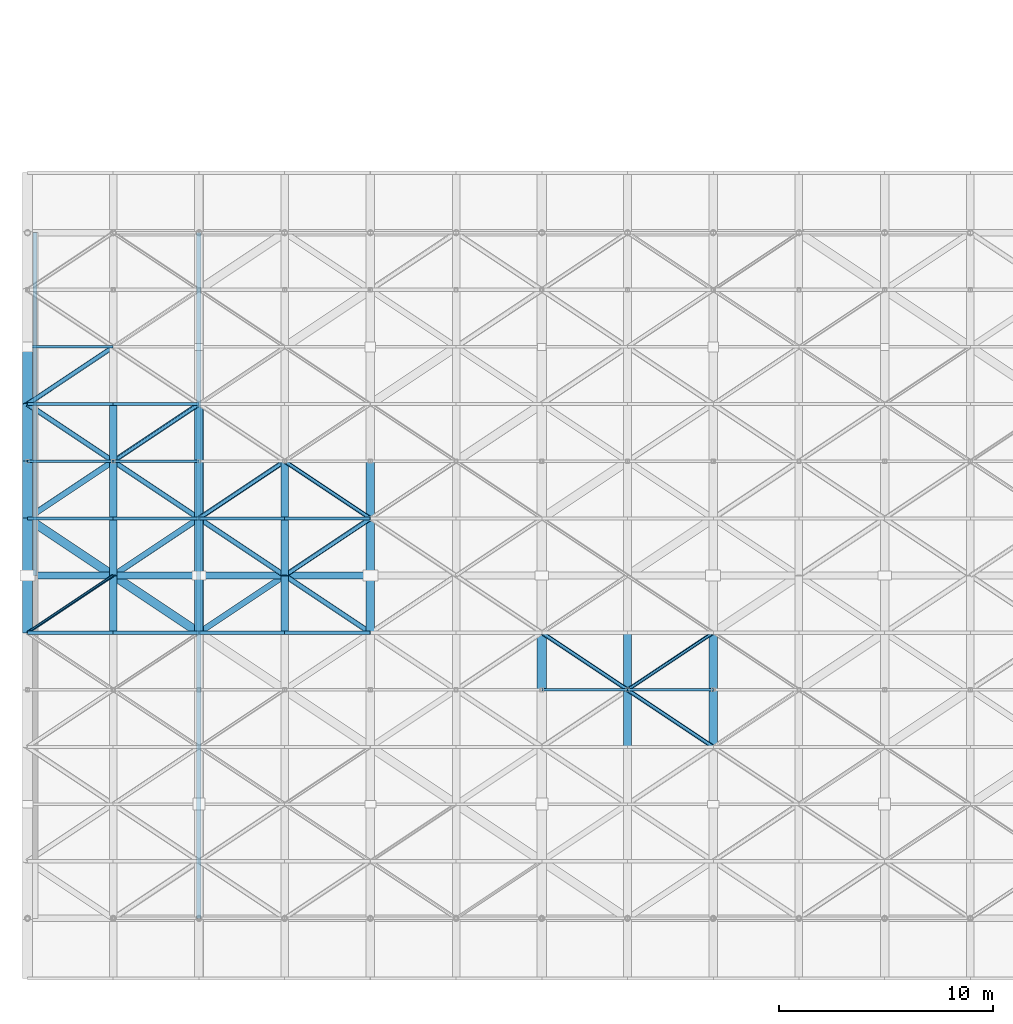
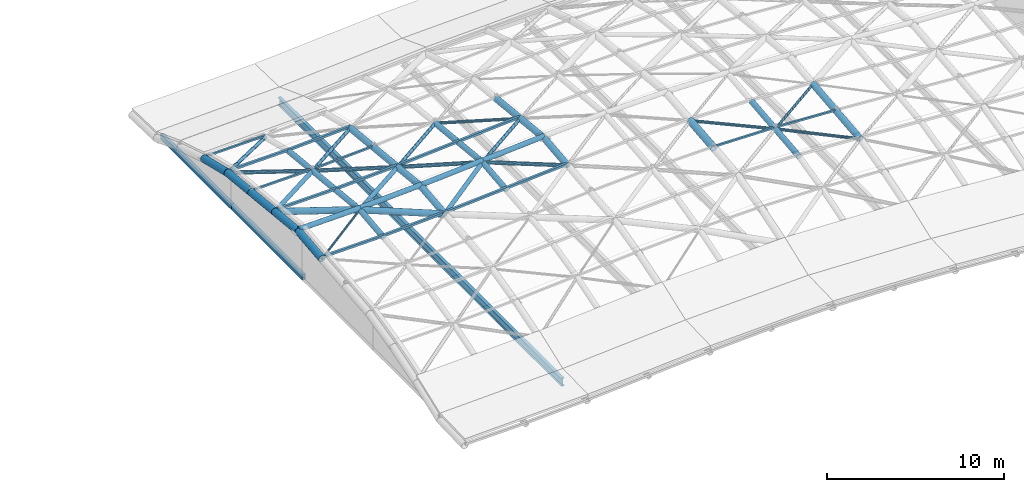
# One storey, part 3 of 20: 37 members, 27 beams.
"""IFC4 building model written with IfcOpenShell, lengths in metres."""

from ifc_helpers import new_model, si_unit, direction, frame, origin, origin_2d, place, context, subcontext, project, spatial, hollow_rectangle, hollow_circle, i_section, extrude, material, material_profile, profile_set, type_object, element, save


model = new_model("IFC4")

# Units and contexts
model_context = context("Model", 3, precision=1e-05, world=origin(), true_north=direction((0.0, 1.0)))
body_context = subcontext(model_context, "Body", "Model", "MODEL_VIEW")
ifc_project = project(units=[si_unit("LENGTHUNIT", "METRE"), si_unit("AREAUNIT", "SQUARE_METRE"), si_unit("VOLUMEUNIT", "CUBIC_METRE"), si_unit("PLANEANGLEUNIT", "RADIAN"), si_unit("MASSUNIT", "GRAM", prefix="KILO")], contexts=[model_context])

# Site, building, storey
site_placement = place(None, origin())
site = spatial("IfcSite", under=ifc_project, at=site_placement, CompositionType="ELEMENT")
building_placement = place(site_placement, origin())
building = spatial("IfcBuilding", under=site, at=building_placement, Name="Tenunan Teduh Sports Hall", CompositionType="ELEMENT")
storey_placement = place(building_placement, frame((0.0, 0.0, 23.39990234375)))
storey = spatial("IfcBuildingStorey", under=building, at=storey_placement, Name="RF", CompositionType="ELEMENT", Elevation=23.39990234375)

# Beams
ifc_material_1 = material(Name="Steel S355", Category="steel")
ifc_material_profile_1 = material_profile(ifc_material_1, hollow_circle(Radius=0.177734375, WallThickness=0.012451171875, at=origin_2d()), Name="CHS 355.6x12.5")
ifc_profile_set_1 = profile_set([ifc_material_profile_1], Name="Steel S355")
beam_type_1 = type_object("IfcBeamType", Name="GSB-CHS356", PredefinedType="BEAM", material=ifc_profile_set_1)
for number, where, z_axis, x_axis, name in (
    (1, (10.0, 27.333251953125, 2.7177734375), (0.0, 0.994635403039, 0.103442810387), (-1.0, 0.0, 0.0), "Gridshell Vault Arch BM-GR-04-RF-0287"),
    (2, (10.0, 30.0, 2.9951171875), (0.0, 0.994635403039, -0.103442810387), (-1.0, 0.0, 0.0), "Gridshell Vault Arch BM-GR-04-RF-0288"),
):
    element("IfcBeam", number, at=place(storey_placement, frame(where, z_axis=z_axis, x_axis=x_axis)), inside=storey, type_object=beam_type_1, Name=name, PredefinedType="BEAM", context=body_context, shape_type="SweptSolid", body=[
        extrude(hollow_circle(Radius=0.177734375, WallThickness=0.012451171875, at=origin_2d()), origin(), (0.0, 0.0, 1.0), 2.68115234375),
    ])
beam_1_placement = place(storey_placement, frame((10.0, 32.666748046875, 2.7177734375), z_axis=(0.0, 0.994783334719, -0.102010376752), x_axis=(-1.0, 0.0, 0.0)))
element("IfcBeam", 3, at=beam_1_placement, inside=storey, type_object=beam_type_1, Name="Gridshell Vault Arch BM-GR-04-RF-0289", PredefinedType="BEAM", context=body_context, shape_type="SweptSolid", body=[
    extrude(hollow_circle(Radius=0.177734375, WallThickness=0.012451171875, at=origin_2d()), origin(), (0.0, 0.0, 1.0), 2.680419921875),
])
beam_2_placement = place(storey_placement, frame((10.0, 35.333251953125, 2.4443359375), z_axis=(0.0, 0.994784282387, -0.102001134878), x_axis=(-1.0, 0.0, 0.0)))
element("IfcBeam", 4, at=beam_2_placement, inside=storey, type_object=beam_type_1, Name="Gridshell Vault Arch BM-GR-04-RF-0290", PredefinedType="BEAM", context=body_context, shape_type="SweptSolid", body=[
    extrude(hollow_circle(Radius=0.177734375, WallThickness=0.012451171875, at=origin_2d()), origin(), (0.0, 0.0, 1.0), 2.6806640625),
])
for number, where, z_axis, x_axis, name in (
    (5, (18.0, 27.333251953125, 3.1943359375), (0.0, 0.994635403039, 0.103442810387), (-1.0, 0.0, 0.0), "Gridshell Vault Arch BM-GR-04-RF-0315"),
    (6, (18.0, 30.0, 3.4716796875), (0.0, 0.994635403039, -0.103442810387), (-1.0, 0.0, 0.0), "Gridshell Vault Arch BM-GR-04-RF-0316"),
):
    element("IfcBeam", number, at=place(storey_placement, frame(where, z_axis=z_axis, x_axis=x_axis)), inside=storey, type_object=beam_type_1, Name=name, PredefinedType="BEAM", context=body_context, shape_type="SweptSolid", body=[
        extrude(hollow_circle(Radius=0.177734375, WallThickness=0.012451171875, at=origin_2d()), origin(), (0.0, 0.0, 1.0), 2.68115234375),
    ])
beam_3_placement = place(storey_placement, frame((18.0, 32.666748046875, 3.1943359375), z_axis=(0.0, 0.994783334719, -0.102010376752), x_axis=(-1.0, 0.0, 0.0)))
element("IfcBeam", 7, at=beam_3_placement, inside=storey, type_object=beam_type_1, Name="Gridshell Vault Arch BM-GR-04-RF-0317", PredefinedType="BEAM", context=body_context, shape_type="SweptSolid", body=[
    extrude(hollow_circle(Radius=0.177734375, WallThickness=0.012451171875, at=origin_2d()), origin(), (0.0, 0.0, 1.0), 2.680419921875),
])
beam_4_placement = place(storey_placement, frame((34.0, 22.0, 3.1240234375), z_axis=(0.0, 0.994784282387, 0.102001134878), x_axis=(-1.0, 0.0, 0.0)))
element("IfcBeam", 8, at=beam_4_placement, inside=storey, type_object=beam_type_1, Name="Gridshell Vault Arch BM-GR-04-RF-0369", PredefinedType="BEAM", context=body_context, shape_type="SweptSolid", body=[
    extrude(hollow_circle(Radius=0.177734375, WallThickness=0.012451171875, at=origin_2d()), origin(), (0.0, 0.0, 1.0), 2.6806640625),
])
beam_5_placement = place(storey_placement, frame((34.0, 24.666748046875, 3.3974609375), z_axis=(0.0, 0.994783334719, 0.102010376752), x_axis=(-1.0, 0.0, 0.0)))
element("IfcBeam", 9, at=beam_5_placement, inside=storey, type_object=beam_type_1, Name="Gridshell Vault Arch BM-GR-04-RF-0370", PredefinedType="BEAM", context=body_context, shape_type="SweptSolid", body=[
    extrude(hollow_circle(Radius=0.177734375, WallThickness=0.012451171875, at=origin_2d()), origin(), (0.0, 0.0, 1.0), 2.680419921875),
])
ifc_material_2 = material(Name="Steel S355", Category="steel")
ifc_material_profile_2 = material_profile(ifc_material_2, hollow_circle(Radius=0.203125, WallThickness=0.01611328125, at=origin_2d()), Name="CHS 406.4x16.0")
ifc_profile_set_2 = profile_set([ifc_material_profile_2], Name="Steel S355")
beam_type_2 = type_object("IfcBeamType", Name="GSB-CHS406", PredefinedType="BEAM", material=ifc_profile_set_2)
for number, where, z_axis, x_axis, name in (
    (10, (14.0, 27.333251953125, 2.9169921875), (0.0, 0.994635403039, 0.103442810387), (-1.0, 0.0, 0.0), "Gridshell Vault Arch BM-GA-02-RF-0301"),
    (11, (14.0, 30.0, 3.1943359375), (0.0, 0.994635403039, -0.103442810387), (-1.0, 0.0, 0.0), "Gridshell Vault Arch BM-GA-02-RF-0302"),
):
    element("IfcBeam", number, at=place(storey_placement, frame(where, z_axis=z_axis, x_axis=x_axis)), inside=storey, type_object=beam_type_2, Name=name, PredefinedType="BEAM", context=body_context, shape_type="SweptSolid", body=[
        extrude(hollow_circle(Radius=0.203125, WallThickness=0.01611328125, at=origin_2d()), origin(), (0.0, 0.0, 1.0), 2.68115234375),
    ])
beam_6_placement = place(storey_placement, frame((14.0, 32.666748046875, 2.9169921875), z_axis=(0.0, 0.994783334719, -0.102010376752), x_axis=(-1.0, 0.0, 0.0)))
element("IfcBeam", 12, at=beam_6_placement, inside=storey, type_object=beam_type_2, Name="Gridshell Vault Arch BM-GA-02-RF-0303", PredefinedType="BEAM", context=body_context, shape_type="SweptSolid", body=[
    extrude(hollow_circle(Radius=0.203125, WallThickness=0.01611328125, at=origin_2d()), origin(), (0.0, 0.0, 1.0), 2.680419921875),
])
beam_7_placement = place(storey_placement, frame((14.0, 35.333251953125, 2.6435546875), z_axis=(0.0, 0.994784282387, -0.102001134878), x_axis=(-1.0, 0.0, 0.0)))
element("IfcBeam", 13, at=beam_7_placement, inside=storey, type_object=beam_type_2, Name="Gridshell Vault Arch BM-GA-02-RF-0304", PredefinedType="BEAM", context=body_context, shape_type="SweptSolid", body=[
    extrude(hollow_circle(Radius=0.203125, WallThickness=0.01611328125, at=origin_2d()), origin(), (0.0, 0.0, 1.0), 2.6806640625),
])
for number, where, z_axis, x_axis, name in (
    (14, (22.0, 27.333251953125, 3.4677734375), (0.0, 0.994635403039, 0.103442810387), (-1.0, 0.0, 0.0), "Gridshell Vault Arch BM-GA-02-RF-0329"),
    (15, (22.0, 30.0, 3.7451171875), (0.0, 0.994635403039, -0.103442810387), (-1.0, 0.0, 0.0), "Gridshell Vault Arch BM-GA-02-RF-0330"),
):
    element("IfcBeam", number, at=place(storey_placement, frame(where, z_axis=z_axis, x_axis=x_axis)), inside=storey, type_object=beam_type_2, Name=name, PredefinedType="BEAM", context=body_context, shape_type="SweptSolid", body=[
        extrude(hollow_circle(Radius=0.203125, WallThickness=0.01611328125, at=origin_2d()), origin(), (0.0, 0.0, 1.0), 2.68115234375),
    ])
beam_8_placement = place(storey_placement, frame((22.0, 32.666748046875, 3.4677734375), z_axis=(0.0, 0.994783334719, -0.102010376752), x_axis=(-1.0, 0.0, 0.0)))
element("IfcBeam", 16, at=beam_8_placement, inside=storey, type_object=beam_type_2, Name="Gridshell Vault Arch BM-GA-02-RF-0331", PredefinedType="BEAM", context=body_context, shape_type="SweptSolid", body=[
    extrude(hollow_circle(Radius=0.203125, WallThickness=0.01611328125, at=origin_2d()), origin(), (0.0, 0.0, 1.0), 2.680419921875),
])
beam_9_placement = place(storey_placement, frame((38.0, 22.0, 2.9208984375), z_axis=(0.0, 0.994784282387, 0.102001134878), x_axis=(-1.0, 0.0, 0.0)))
element("IfcBeam", 17, at=beam_9_placement, inside=storey, type_object=beam_type_2, Name="Gridshell Vault Arch BM-GA-02-RF-0383", PredefinedType="BEAM", context=body_context, shape_type="SweptSolid", body=[
    extrude(hollow_circle(Radius=0.203125, WallThickness=0.01611328125, at=origin_2d()), origin(), (0.0, 0.0, 1.0), 2.6806640625),
])
beam_10_placement = place(storey_placement, frame((38.0, 24.666748046875, 3.1943359375), z_axis=(0.0, 0.994783334719, 0.102010376752), x_axis=(-1.0, 0.0, 0.0)))
element("IfcBeam", 18, at=beam_10_placement, inside=storey, type_object=beam_type_2, Name="Gridshell Vault Arch BM-GA-02-RF-0384", PredefinedType="BEAM", context=body_context, shape_type="SweptSolid", body=[
    extrude(hollow_circle(Radius=0.203125, WallThickness=0.01611328125, at=origin_2d()), origin(), (0.0, 0.0, 1.0), 2.680419921875),
])
ifc_material_3 = material(Name="Steel S355", Category="steel")
ifc_material_profile_3 = material_profile(ifc_material_3, hollow_circle(Radius=0.228515625, WallThickness=0.01611328125, at=origin_2d()), Name="CHS 457.0x16.0")
ifc_profile_set_3 = profile_set([ifc_material_profile_3], Name="Steel S355")
beam_type_3 = type_object("IfcBeamType", Name="GSB-CHS457", PredefinedType="BEAM", material=ifc_profile_set_3)
for number, where, z_axis, x_axis, name in (
    (19, (6.0, 27.333251953125, 2.6435546875), (0.0, 0.994635403039, 0.103442810387), (-1.0, 0.0, 0.0), "Gridshell Vault Arch BM-GA-01-RF-0273"),
    (20, (6.0, 30.0, 2.9208984375), (0.0, 0.994635403039, -0.103442810387), (-1.0, 0.0, 0.0), "Gridshell Vault Arch BM-GA-01-RF-0274"),
):
    element("IfcBeam", number, at=place(storey_placement, frame(where, z_axis=z_axis, x_axis=x_axis)), inside=storey, type_object=beam_type_3, Name=name, PredefinedType="BEAM", context=body_context, shape_type="SweptSolid", body=[
        extrude(hollow_circle(Radius=0.228515625, WallThickness=0.01611328125, at=origin_2d()), origin(), (0.0, 0.0, 1.0), 2.68115234375),
    ])
beam_11_placement = place(storey_placement, frame((6.0, 32.666748046875, 2.6435546875), z_axis=(0.0, 0.994783334719, -0.102010376752), x_axis=(-1.0, 0.0, 0.0)))
element("IfcBeam", 21, at=beam_11_placement, inside=storey, type_object=beam_type_3, Name="Gridshell Vault Arch BM-GA-01-RF-0275", PredefinedType="BEAM", context=body_context, shape_type="SweptSolid", body=[
    extrude(hollow_circle(Radius=0.228515625, WallThickness=0.01611328125, at=origin_2d()), origin(), (0.0, 0.0, 1.0), 2.680419921875),
])
beam_12_placement = place(storey_placement, frame((6.0, 35.333251953125, 2.3701171875), z_axis=(0.0, 0.994784282387, -0.102001134878), x_axis=(-1.0, 0.0, 0.0)))
element("IfcBeam", 22, at=beam_12_placement, inside=storey, type_object=beam_type_3, Name="Gridshell Vault Arch BM-GA-01-RF-0276", PredefinedType="BEAM", context=body_context, shape_type="SweptSolid", body=[
    extrude(hollow_circle(Radius=0.228515625, WallThickness=0.01611328125, at=origin_2d()), origin(), (0.0, 0.0, 1.0), 2.6806640625),
])
beam_13_placement = place(storey_placement, frame((6.0, 38.0, 2.0966796875), z_axis=(0.0, 0.972012875749, -0.234927583263), x_axis=(-1.0, 0.0, 0.0)))
element("IfcBeam", 23, at=beam_13_placement, inside=storey, type_object=beam_type_3, Name="Gridshell Vault Arch BM-GA-01-RF-0277", PredefinedType="BEAM", context=body_context, shape_type="SweptSolid", body=[
    extrude(hollow_circle(Radius=0.228515625, WallThickness=0.01611328125, at=origin_2d()), origin(), (0.0, 0.0, 1.0), 2.74365234375),
])
beam_14_placement = place(storey_placement, frame((30.0, 24.666748046875, 3.4716796875), z_axis=(0.0, 0.994783334719, 0.102010376752), x_axis=(-1.0, 0.0, 0.0)))
element("IfcBeam", 24, at=beam_14_placement, inside=storey, type_object=beam_type_3, Name="Gridshell Vault Arch BM-GA-01-RF-0356", PredefinedType="BEAM", context=body_context, shape_type="SweptSolid", body=[
    extrude(hollow_circle(Radius=0.228515625, WallThickness=0.01611328125, at=origin_2d()), origin(), (0.0, 0.0, 1.0), 2.680419921875),
])

# Members
ifc_material_4 = material(Name="Steel S355", Category="steel")
ifc_material_profile_4 = material_profile(ifc_material_4, hollow_circle(Radius=0.06982421875, WallThickness=0.00634765625, at=origin_2d()), Name="CHS 139.7x6.3")
ifc_profile_set_4 = profile_set([ifc_material_profile_4], Name="Steel S355")
member_type_1 = type_object("IfcMemberType", Name="MEM-BR-CHS140", PredefinedType="BRACE", material=ifc_profile_set_4)
member_1_placement = place(storey_placement, frame((6.0, 27.333251953125, 2.6435546875), z_axis=(0.82982656189, 0.553234590791, 0.072933975166), x_axis=(-0.554711915519, 0.832042481356, 0.0)))
element("IfcMember", 25, at=member_1_placement, inside=storey, type_object=member_type_1, Name="MEM-GD-05-RF-0530", PredefinedType="BRACE", context=body_context, shape_type="SweptSolid", body=[
    extrude(hollow_circle(Radius=0.06982421875, WallThickness=0.00634765625, at=origin_2d()), origin(), (0.0, 0.0, 1.0), 4.8203125),
])
ifc_material_5 = material(Name="Steel S355", Category="steel")
ifc_material_profile_5 = material_profile(ifc_material_5, hollow_circle(Radius=0.084228515625, WallThickness=0.008056640625, at=origin_2d()), Name="CHS 168.3x8.0")
ifc_profile_set_5 = profile_set([ifc_material_profile_5], Name="Steel S355")
member_type_2 = type_object("IfcMemberType", Name="MEM-BR-CHS168", PredefinedType="BRACE", material=ifc_profile_set_5)
member_2_placement = place(storey_placement, frame((34.0, 24.666748046875, 3.3974609375), z_axis=(0.831976934871, 0.554617436686, 0.014624594558), x_axis=(-0.554676756648, 0.832065920246, 0.0)))
element("IfcMember", 26, at=member_2_placement, inside=storey, type_object=member_type_2, Name="MEM-GD-04-RF-0718", PredefinedType="BRACE", context=body_context, shape_type="SweptSolid", body=[
    extrude(hollow_circle(Radius=0.084228515625, WallThickness=0.008056640625, at=origin_2d()), origin(), (0.0, 0.0, 1.0), 4.807861328125),
])
ifc_material_6 = material(Name="Steel S355", Category="steel")
ifc_material_profile_6 = material_profile(ifc_material_6, hollow_circle(Radius=0.096923828125, WallThickness=0.008056640625, at=origin_2d()), Name="CHS 193.7x8.0")
ifc_profile_set_6 = profile_set([ifc_material_profile_6], Name="Steel S355")
member_type_3 = type_object("IfcMemberType", Name="MEM-BR-CHS194", PredefinedType="BRACE", material=ifc_profile_set_6)
member_3_placement = place(storey_placement, frame((18.0, 35.333251953125, 2.9208984375), z_axis=(0.826733689025, -0.551122152804, 0.113029996546), x_axis=(0.554676756648, 0.832065920246, 0.0)))
element("IfcMember", 27, at=member_3_placement, inside=storey, type_object=member_type_3, Name="MEM-GD-03-RF-0613", PredefinedType="BRACE", context=body_context, shape_type="SweptSolid", body=[
    extrude(hollow_circle(Radius=0.096923828125, WallThickness=0.008056640625, at=origin_2d()), origin(), (0.0, 0.0, 1.0), 4.83837890625),
])
member_4_placement = place(storey_placement, frame((30.0, 27.333251953125, 3.7451171875), z_axis=(0.829898596039, -0.553231962032, -0.072129858445), x_axis=(0.554676756648, 0.832065920246, 0.0)))
element("IfcMember", 28, at=member_4_placement, inside=storey, type_object=member_type_3, Name="MEM-GD-03-RF-0691", PredefinedType="BRACE", context=body_context, shape_type="SweptSolid", body=[
    extrude(hollow_circle(Radius=0.096923828125, WallThickness=0.008056640625, at=origin_2d()), origin(), (0.0, 0.0, 1.0), 4.81982421875),
])
member_5_placement = place(storey_placement, frame((34.0, 24.666748046875, 3.3974609375), z_axis=(0.827984222016, -0.552006326726, -0.098646557701), x_axis=(0.554711915519, 0.832042481356, 0.0)))
element("IfcMember", 29, at=member_5_placement, inside=storey, type_object=member_type_3, Name="MEM-GD-03-RF-0717", PredefinedType="BRACE", context=body_context, shape_type="SweptSolid", body=[
    extrude(hollow_circle(Radius=0.096923828125, WallThickness=0.008056640625, at=origin_2d()), origin(), (0.0, 0.0, 1.0), 4.8310546875),
])
ifc_material_7 = material(Name="Steel S355", Category="steel")
ifc_material_profile_7 = material_profile(ifc_material_7, hollow_circle(Radius=0.109619140625, WallThickness=0.010009765625, at=origin_2d()), Name="CHS 219.1x10.0")
ifc_profile_set_7 = profile_set([ifc_material_profile_7], Name="Steel S355")
member_type_4 = type_object("IfcMemberType", Name="MEM-BR-CHS219", PredefinedType="BRACE", material=ifc_profile_set_7)
member_6_placement = place(storey_placement, frame((6.0, 38.0, 2.0966796875), z_axis=(0.826248759611, 0.550849316482, -0.117804998929), x_axis=(-0.554711915519, 0.832042481356, 0.0)))
element("IfcMember", 30, at=member_6_placement, inside=storey, type_object=member_type_4, Name="MEM-GD-02-RF-0534", PredefinedType="BRACE", context=body_context, shape_type="SweptSolid", body=[
    extrude(hollow_circle(Radius=0.109619140625, WallThickness=0.010009765625, at=origin_2d()), origin(), (0.0, 0.0, 1.0), 4.841064453125),
])
member_7_placement = place(storey_placement, frame((10.0, 35.333251953125, 2.4443359375), z_axis=(0.831943344266, 0.554645822108, -0.015436448771), x_axis=(-0.554711915519, 0.832042481356, 0.0)))
element("IfcMember", 31, at=member_7_placement, inside=storey, type_object=member_type_4, Name="MEM-GD-02-RF-0560", PredefinedType="BRACE", context=body_context, shape_type="SweptSolid", body=[
    extrude(hollow_circle(Radius=0.109619140625, WallThickness=0.010009765625, at=origin_2d()), origin(), (0.0, 0.0, 1.0), 4.80810546875),
])
for number, where, z_axis, x_axis, name in (
    (32, (14.0, 32.666748046875, 2.9169921875), (0.832065645556, 0.554676573533, 0.000812564107), (-0.554676756648, 0.832065920246, 0.0), "MEM-GD-02-RF-0586"),
    (33, (18.0, 30.0, 3.4716796875), (0.832042206689, 0.554711732402, -0.000812541217), (-0.554711915519, 0.832042481356, 0.0), "MEM-GD-02-RF-0612"),
):
    element("IfcMember", number, at=place(storey_placement, frame(where, z_axis=z_axis, x_axis=x_axis)), inside=storey, type_object=member_type_4, Name=name, PredefinedType="BRACE", context=body_context, shape_type="SweptSolid", body=[
        extrude(hollow_circle(Radius=0.109619140625, WallThickness=0.010009765625, at=origin_2d()), origin(), (0.0, 0.0, 1.0), 4.807373046875),
    ])
ifc_material_8 = material(Name="Steel S355", Category="steel")
ifc_material_profile_8 = material_profile(ifc_material_8, hollow_circle(Radius=0.122314453125, WallThickness=0.010009765625, at=origin_2d()), Name="CHS 244.5x10.0")
ifc_profile_set_8 = profile_set([ifc_material_profile_8], Name="Steel S355")
member_type_5 = type_object("IfcMemberType", Name="MEM-BR-CHS245", PredefinedType="BRACE", material=ifc_profile_set_8)
member_8_placement = place(storey_placement, frame((6.0, 38.0, 2.0966796875), z_axis=(0.829875339825, -0.553267110407, 0.072127837153), x_axis=(0.554711915519, 0.832042481356, 0.0)))
element("IfcMember", 34, at=member_8_placement, inside=storey, type_object=member_type_5, Name="MEM-GD-01-RF-0533", PredefinedType="BRACE", context=body_context, shape_type="SweptSolid", body=[
    extrude(hollow_circle(Radius=0.122314453125, WallThickness=0.010009765625, at=origin_2d()), origin(), (0.0, 0.0, 1.0), 4.820068359375),
])
member_9_placement = place(storey_placement, frame((10.0, 35.333251953125, 2.4443359375), z_axis=(0.82807310517, -0.552015042399, 0.097848482154), x_axis=(0.554676756648, 0.832065920246, 0.0)))
element("IfcMember", 35, at=member_9_placement, inside=storey, type_object=member_type_5, Name="MEM-GD-01-RF-0559", PredefinedType="BRACE", context=body_context, shape_type="SweptSolid", body=[
    extrude(hollow_circle(Radius=0.122314453125, WallThickness=0.010009765625, at=origin_2d()), origin(), (0.0, 0.0, 1.0), 4.83056640625),
])
member_10_placement = place(storey_placement, frame((14.0, 32.666748046875, 2.9169921875), z_axis=(0.826558786537, -0.551056007406, 0.114620456727), x_axis=(0.554711915519, 0.832042481356, 0.0)))
element("IfcMember", 36, at=member_10_placement, inside=storey, type_object=member_type_5, Name="MEM-GD-01-RF-0585", PredefinedType="BRACE", context=body_context, shape_type="SweptSolid", body=[
    extrude(hollow_circle(Radius=0.122314453125, WallThickness=0.010009765625, at=origin_2d()), origin(), (0.0, 0.0, 1.0), 4.83935546875),
])
member_11_placement = place(storey_placement, frame((18.0, 30.0, 3.4716796875), z_axis=(0.832042206689, -0.554711732402, -0.000812541217), x_axis=(0.554711915519, 0.832042481356, 0.0)))
element("IfcMember", 37, at=member_11_placement, inside=storey, type_object=member_type_5, Name="MEM-GD-01-RF-0611", PredefinedType="BRACE", context=body_context, shape_type="SweptSolid", body=[
    extrude(hollow_circle(Radius=0.122314453125, WallThickness=0.010009765625, at=origin_2d()), origin(), (0.0, 0.0, 1.0), 4.807373046875),
])
ifc_material_9 = material(Name="Steel S355", Category="steel")
ifc_material_profile_9 = material_profile(ifc_material_9, hollow_circle(Radius=0.136474609375, WallThickness=0.010009765625, at=origin_2d()), Name="CHS 273.0x10.0")
ifc_profile_set_9 = profile_set([ifc_material_profile_9], Name="Steel S355")
member_type_6 = type_object("IfcMemberType", Name="MEM-CH-CHS273", PredefinedType="CHORD", material=ifc_profile_set_9)
member_12_placement = place(storey_placement, frame((6.0, 32.666748046875, 2.6435546875), z_axis=(0.831352369747, 0.55420108535, -0.041405244978), x_axis=(-0.554676756648, 0.832065920246, 0.0)))
element("IfcMember", 38, at=member_12_placement, inside=storey, type_object=member_type_6, Name="MEM-GC-03-RF-0532", PredefinedType="CHORD", context=body_context, shape_type="SweptSolid", body=[
    extrude(hollow_circle(Radius=0.136474609375, WallThickness=0.010009765625, at=origin_2d()), origin(), (0.0, 0.0, 1.0), 4.8115234375),
])
member_13_placement = place(storey_placement, frame((10.0, 30.0, 2.9951171875), z_axis=(0.831932636285, 0.554638683236, -0.016248684302), x_axis=(-0.554711915519, 0.832042481356, 0.0)))
element("IfcMember", 39, at=member_13_placement, inside=storey, type_object=member_type_6, Name="MEM-GC-03-RF-0558", PredefinedType="CHORD", context=body_context, shape_type="SweptSolid", body=[
    extrude(hollow_circle(Radius=0.136474609375, WallThickness=0.010009765625, at=origin_2d()), origin(), (0.0, 0.0, 1.0), 4.80810546875),
])
member_14_placement = place(storey_placement, frame((14.0, 27.333251953125, 2.9169921875), z_axis=(0.826558786537, 0.551056007406, 0.114620456727), x_axis=(-0.554711915519, 0.832042481356, 0.0)))
element("IfcMember", 40, at=member_14_placement, inside=storey, type_object=member_type_6, Name="MEM-GC-03-RF-0584", PredefinedType="CHORD", context=body_context, shape_type="SweptSolid", body=[
    extrude(hollow_circle(Radius=0.136474609375, WallThickness=0.010009765625, at=origin_2d()), origin(), (0.0, 0.0, 1.0), 4.83935546875),
])
ifc_material_10 = material(Name="Steel S355", Category="steel")
ifc_material_profile_10 = material_profile(ifc_material_10, hollow_circle(Radius=0.161865234375, WallThickness=0.012451171875, at=origin_2d()), Name="CHS 323.9x12.5")
ifc_profile_set_10 = profile_set([ifc_material_profile_10], Name="Steel S355")
member_type_7 = type_object("IfcMemberType", Name="MEM-CH-CHS324", PredefinedType="CHORD", material=ifc_profile_set_10)
member_15_placement = place(storey_placement, frame((6.0, 30.0, 3.040771484375), z_axis=(0.99982790622, 0.0, 0.018551494354), x_axis=(0.0, 1.0, 0.0)))
element("IfcMember", 41, at=member_15_placement, inside=storey, type_object=member_type_7, Name="MEM-GC-02-RF-0518", PredefinedType="CHORD", context=body_context, shape_type="SweptSolid", body=[
    extrude(hollow_circle(Radius=0.161865234375, WallThickness=0.012451171875, at=origin_2d()), origin(), (0.0, 0.0, 1.0), 4.000732421875),
])
member_16_placement = place(storey_placement, frame((10.0, 30.0, 3.114990234375), z_axis=(0.998762049135, 0.0, 0.049743031744), x_axis=(0.0, 1.0, 0.0)))
element("IfcMember", 42, at=member_16_placement, inside=storey, type_object=member_type_7, Name="MEM-GC-02-RF-0544", PredefinedType="CHORD", context=body_context, shape_type="SweptSolid", body=[
    extrude(hollow_circle(Radius=0.161865234375, WallThickness=0.012451171875, at=origin_2d()), origin(), (0.0, 0.0, 1.0), 4.0048828125),
])
member_17_placement = place(storey_placement, frame((14.0, 30.0, 3.314208984375), z_axis=(0.99760489623, 0.0, 0.069169870735), x_axis=(0.0, 1.0, 0.0)))
element("IfcMember", 43, at=member_17_placement, inside=storey, type_object=member_type_7, Name="MEM-GC-02-RF-0571", PredefinedType="CHORD", context=body_context, shape_type="SweptSolid", body=[
    extrude(hollow_circle(Radius=0.161865234375, WallThickness=0.012451171875, at=origin_2d()), origin(), (0.0, 0.0, 1.0), 4.009521484375),
])
member_18_placement = place(storey_placement, frame((18.0, 30.0, 3.591552734375), z_axis=(0.997671655029, 0.0, 0.068200210793), x_axis=(0.0, 1.0, 0.0)))
element("IfcMember", 44, at=member_18_placement, inside=storey, type_object=member_type_7, Name="MEM-GC-02-RF-0598", PredefinedType="CHORD", context=body_context, shape_type="SweptSolid", body=[
    extrude(hollow_circle(Radius=0.161865234375, WallThickness=0.012451171875, at=origin_2d()), origin(), (0.0, 0.0, 1.0), 4.00927734375),
])
ifc_material_11 = material(Name="Steel S355", Category="steel")
ifc_material_profile_11 = material_profile(ifc_material_11, hollow_circle(Radius=0.203125, WallThickness=0.012451171875, at=origin_2d()), Name="CHS 406.4x12.5")
ifc_profile_set_11 = profile_set([ifc_material_profile_11], Name="Steel S355")
member_type_8 = type_object("IfcMemberType", Name="MEM-CH-CHS406L", PredefinedType="CHORD", material=ifc_profile_set_11)
member_19_placement = place(storey_placement, frame((6.0, 32.666748046875, 2.6435546875), z_axis=(0.82982656189, -0.553234590791, 0.072933975166), x_axis=(0.554711915519, 0.832042481356, 0.0)))
element("IfcMember", 45, at=member_19_placement, inside=storey, type_object=member_type_8, Name="MEM-GC-01-RF-0531", PredefinedType="CHORD", context=body_context, shape_type="SweptSolid", body=[
    extrude(hollow_circle(Radius=0.203125, WallThickness=0.012451171875, at=origin_2d()), origin(), (0.0, 0.0, 1.0), 4.8203125),
])
member_20_placement = place(storey_placement, frame((10.0, 30.0, 2.9951171875), z_axis=(0.831932636285, -0.554638683236, -0.016248684302), x_axis=(0.554711915519, 0.832042481356, 0.0)))
element("IfcMember", 46, at=member_20_placement, inside=storey, type_object=member_type_8, Name="MEM-GC-01-RF-0557", PredefinedType="CHORD", context=body_context, shape_type="SweptSolid", body=[
    extrude(hollow_circle(Radius=0.203125, WallThickness=0.012451171875, at=origin_2d()), origin(), (0.0, 0.0, 1.0), 4.80810546875),
])
ifc_material_12 = material(Name="Steel S355", Category="steel")
ifc_material_profile_12 = material_profile(ifc_material_12, hollow_rectangle(XDim=0.1201171875, YDim=0.1201171875, WallThickness=0.00634765625, at=origin_2d()), Name="SHS 120x120x6.3")
ifc_profile_set_12 = profile_set([ifc_material_profile_12], Name="Steel S355")
member_type_9 = type_object("IfcMemberType", Name="MEM-PR-SHS120", PredefinedType="PURLIN", material=ifc_profile_set_12)
for number, where, z_axis, x_axis, name in (
    (47, (6.0, 35.333251953125, 2.489990234375), (0.99982790622, 0.0, 0.018551494354), (0.0, 1.0, 0.0), "MEM-PR-02-RF-0520"),
    (48, (6.0, 40.666748046875, 1.572021484375), (0.99982790622, 0.0, 0.018551494354), (0.0, 1.0, 0.0), "MEM-PR-02-RF-0522"),
):
    element("IfcMember", number, at=place(storey_placement, frame(where, z_axis=z_axis, x_axis=x_axis)), inside=storey, type_object=member_type_9, Name=name, PredefinedType="PURLIN", context=body_context, shape_type="SweptSolid", body=[
        extrude(hollow_rectangle(XDim=0.1201171875, YDim=0.1201171875, WallThickness=0.00634765625, at=origin_2d()), origin(), (0.0, 0.0, 1.0), 4.000732421875),
    ])
member_21_placement = place(storey_placement, frame((10.0, 35.333251953125, 2.564208984375), z_axis=(0.998762049135, 0.0, 0.049743031744), x_axis=(0.0, 1.0, 0.0)))
element("IfcMember", 49, at=member_21_placement, inside=storey, type_object=member_type_9, Name="MEM-PR-02-RF-0546", PredefinedType="PURLIN", context=body_context, shape_type="SweptSolid", body=[
    extrude(hollow_rectangle(XDim=0.1201171875, YDim=0.1201171875, WallThickness=0.00634765625, at=origin_2d()), origin(), (0.0, 0.0, 1.0), 4.0048828125),
])
member_22_placement = place(storey_placement, frame((30.0, 24.666748046875, 3.591552734375), z_axis=(0.99982790622, 0.0, -0.018551494354), x_axis=(0.0, 1.0, 0.0)))
element("IfcMember", 50, at=member_22_placement, inside=storey, type_object=member_type_9, Name="MEM-PR-02-RF-0677", PredefinedType="PURLIN", context=body_context, shape_type="SweptSolid", body=[
    extrude(hollow_rectangle(XDim=0.1201171875, YDim=0.1201171875, WallThickness=0.00634765625, at=origin_2d()), origin(), (0.0, 0.0, 1.0), 4.000732421875),
])
member_23_placement = place(storey_placement, frame((34.0, 24.666748046875, 3.517333984375), z_axis=(0.998713120681, 0.0, -0.05071590066), x_axis=(0.0, 1.0, 0.0)))
element("IfcMember", 51, at=member_23_placement, inside=storey, type_object=member_type_9, Name="MEM-PR-02-RF-0704", PredefinedType="PURLIN", context=body_context, shape_type="SweptSolid", body=[
    extrude(hollow_rectangle(XDim=0.1201171875, YDim=0.1201171875, WallThickness=0.00634765625, at=origin_2d()), origin(), (0.0, 0.0, 1.0), 4.005126953125),
])
ifc_material_13 = material(Name="Steel S355", Category="steel")
ifc_material_profile_13 = material_profile(ifc_material_13, hollow_rectangle(XDim=0.14990234375, YDim=0.14990234375, WallThickness=0.008056640625, at=origin_2d()), Name="SHS 150x150x8.0")
ifc_profile_set_13 = profile_set([ifc_material_profile_13], Name="Steel S355")
member_type_10 = type_object("IfcMemberType", Name="MEM-PR-SHS150", PredefinedType="PURLIN", material=ifc_profile_set_13)
for number, where, z_axis, x_axis, name in (
    (52, (6.0, 27.333251953125, 2.763427734375), (0.99982790622, 0.0, 0.018551494354), (0.0, 1.0, 0.0), "MEM-PR-01-RF-0517"),
    (53, (6.0, 32.666748046875, 2.763427734375), (0.99982790622, 0.0, 0.018551494354), (0.0, 1.0, 0.0), "MEM-PR-01-RF-0519"),
    (54, (6.0, 38.0, 2.216552734375), (0.99982790622, 0.0, 0.018551494354), (0.0, 1.0, 0.0), "MEM-PR-01-RF-0521"),
):
    element("IfcMember", number, at=place(storey_placement, frame(where, z_axis=z_axis, x_axis=x_axis)), inside=storey, type_object=member_type_10, Name=name, PredefinedType="PURLIN", context=body_context, shape_type="SweptSolid", body=[
        extrude(hollow_rectangle(XDim=0.14990234375, YDim=0.14990234375, WallThickness=0.008056640625, at=origin_2d()), origin(), (0.0, 0.0, 1.0), 4.000732421875),
    ])
for number, where, z_axis, x_axis, name in (
    (55, (10.0, 27.333251953125, 2.837646484375), (0.998762049135, 0.0, 0.049743031744), (0.0, 1.0, 0.0), "MEM-PR-01-RF-0543"),
    (56, (10.0, 32.666748046875, 2.837646484375), (0.998762049135, 0.0, 0.049743031744), (0.0, 1.0, 0.0), "MEM-PR-01-RF-0545"),
    (57, (10.0, 38.0, 2.290771484375), (0.998762049135, 0.0, 0.049743031744), (0.0, 1.0, 0.0), "MEM-PR-01-RF-0547"),
):
    element("IfcMember", number, at=place(storey_placement, frame(where, z_axis=z_axis, x_axis=x_axis)), inside=storey, type_object=member_type_10, Name=name, PredefinedType="PURLIN", context=body_context, shape_type="SweptSolid", body=[
        extrude(hollow_rectangle(XDim=0.14990234375, YDim=0.14990234375, WallThickness=0.008056640625, at=origin_2d()), origin(), (0.0, 0.0, 1.0), 4.0048828125),
    ])
for number, where, z_axis, x_axis, name in (
    (58, (14.0, 27.333251953125, 3.036865234375), (0.99760489623, 0.0, 0.069169870735), (0.0, 1.0, 0.0), "MEM-PR-01-RF-0570"),
    (59, (14.0, 32.666748046875, 3.036865234375), (0.99760489623, 0.0, 0.069169870735), (0.0, 1.0, 0.0), "MEM-PR-01-RF-0572"),
):
    element("IfcMember", number, at=place(storey_placement, frame(where, z_axis=z_axis, x_axis=x_axis)), inside=storey, type_object=member_type_10, Name=name, PredefinedType="PURLIN", context=body_context, shape_type="SweptSolid", body=[
        extrude(hollow_rectangle(XDim=0.14990234375, YDim=0.14990234375, WallThickness=0.008056640625, at=origin_2d()), origin(), (0.0, 0.0, 1.0), 4.009521484375),
    ])
for number, where, z_axis, x_axis, name in (
    (60, (18.0, 27.333251953125, 3.314208984375), (0.997671655029, 0.0, 0.068200210793), (0.0, 1.0, 0.0), "MEM-PR-01-RF-0597"),
    (61, (18.0, 32.666748046875, 3.314208984375), (0.997671655029, 0.0, 0.068200210793), (0.0, 1.0, 0.0), "MEM-PR-01-RF-0599"),
):
    element("IfcMember", number, at=place(storey_placement, frame(where, z_axis=z_axis, x_axis=x_axis)), inside=storey, type_object=member_type_10, Name=name, PredefinedType="PURLIN", context=body_context, shape_type="SweptSolid", body=[
        extrude(hollow_rectangle(XDim=0.14990234375, YDim=0.14990234375, WallThickness=0.008056640625, at=origin_2d()), origin(), (0.0, 0.0, 1.0), 4.00927734375),
    ])

# Beams
ifc_material_14 = material(Name="Steel S355", Category="steel")
ifc_material_profile_14 = material_profile(ifc_material_14, hollow_rectangle(XDim=0.199951171875, YDim=0.39990234375, WallThickness=0.012451171875, at=origin_2d()), Name="RHS 400x200x12.5")
ifc_profile_set_14 = profile_set([ifc_material_profile_14], Name="Steel S355")
beam_type_4 = type_object("IfcBeamType", Name="RBM-RHS400", PredefinedType="SPANDREL", material=ifc_profile_set_14)
for number, where, z_axis, x_axis, name in (
    (62, (6.353515625, 30.0, -0.35986328125), (0.0, 1.0, 0.0), (-1.0, 0.0, 0.0), "Perimeter Ring Beam BM-RB-02-RF-0258"),
    (63, (6.353515625, 38.0, -0.35986328125), (0.0, 1.0, 0.0), (-1.0, 0.0, 0.0), "Perimeter Ring Beam BM-RB-02-RF-0260"),
):
    element("IfcBeam", number, at=place(storey_placement, frame(where, z_axis=z_axis, x_axis=x_axis)), inside=storey, type_object=beam_type_4, Name=name, PredefinedType="SPANDREL", context=body_context, shape_type="SweptSolid", body=[
        extrude(hollow_rectangle(XDim=0.199951171875, YDim=0.39990234375, WallThickness=0.012451171875, at=origin_2d()), origin(), (0.0, 0.0, 1.0), 8.0),
    ])
ifc_material_15 = material(Name="Steel S355", Category="steel")
ifc_material_profile_15 = material_profile(ifc_material_15, i_section(OverallWidth=0.2099609375, OverallDepth=0.53662109375, WebThickness=0.0107421875, FlangeThickness=0.017333984375, FilletRadius=0.0126953125, at=origin_2d()), Name="UKB 533x210x101")
ifc_profile_set_15 = profile_set([ifc_material_profile_15], Name="Steel S355")
beam_type_5 = type_object("IfcBeamType", Name="SBM-UKB533", PredefinedType="BEAM", material=ifc_profile_set_15)
beam_15_placement = place(storey_placement, frame((14.0, 14.0, -0.588134765625), z_axis=(0.0, 1.0, 0.0), x_axis=(-1.0, 0.0, 0.0)))
element("IfcBeam", 64, at=beam_15_placement, inside=storey, type_object=beam_type_5, Name="BM-SB-05-RF-0262", PredefinedType="BEAM", context=body_context, shape_type="SweptSolid", body=[
    extrude(i_section(OverallWidth=0.2099609375, OverallDepth=0.53662109375, WebThickness=0.0107421875, FlangeThickness=0.017333984375, FilletRadius=0.0126953125, at=origin_2d()), origin(), (0.0, 0.0, 1.0), 32.0),
])

save(model, "model.ifc")
